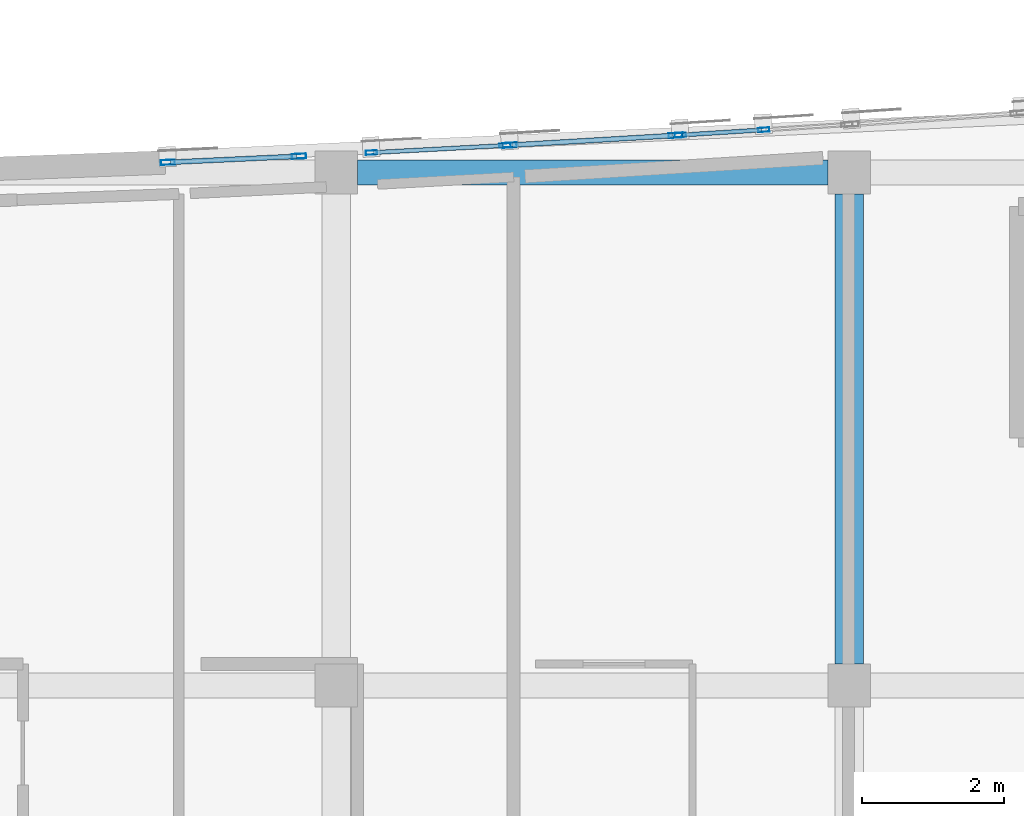
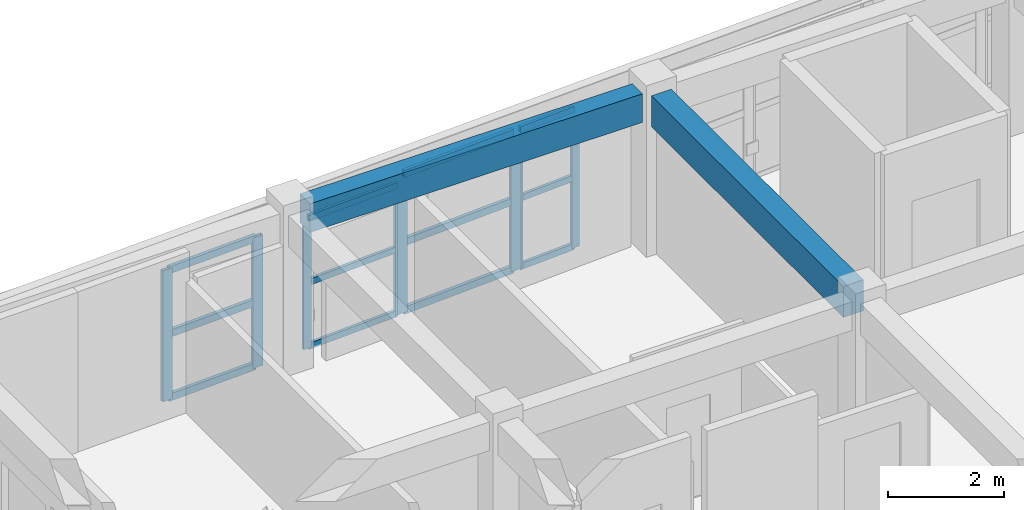
# One storey, part 6 of 45: 20 members, 2 beams, 4 elements without a shape of their own.
"""IFC4 building model written with IfcOpenShell, lengths in metres."""

from ifc_helpers import new_model, si_unit, direction, frame, origin, origin_2d, place, context, subcontext, project, spatial, rectangle, hollow_rectangle, extrude, material, layer, layer_set, material_profile, profile_set, type_object, element, aggregate, save


model = new_model("IFC4")

# Units and contexts
model_context = context("Model", 3, precision=1e-05, world=origin(), true_north=direction((0.0, 1.0)))
body_context = subcontext(model_context, "Body", "Model", "MODEL_VIEW")
ifc_project = project(units=[si_unit("LENGTHUNIT", "METRE"), si_unit("AREAUNIT", "SQUARE_METRE"), si_unit("VOLUMEUNIT", "CUBIC_METRE"), si_unit("PLANEANGLEUNIT", "RADIAN"), si_unit("MASSUNIT", "GRAM", prefix="KILO")], contexts=[model_context])

# Site, building, storey
site_placement = place(None, origin())
site = spatial("IfcSite", under=ifc_project, at=site_placement, CompositionType="ELEMENT")
building_placement = place(site_placement, origin())
building = spatial("IfcBuilding", under=site, at=building_placement, Name="Carrowvane Square Congress Hotel", CompositionType="ELEMENT")
storey_placement = place(building_placement, frame((0.0, 0.0, 33.60009765625)))
storey = spatial("IfcBuildingStorey", under=building, at=storey_placement, Name="L08", CompositionType="ELEMENT", Elevation=33.60009765625)

# Beams
ifc_material_1 = material(Name="Concrete C35/45", Category="concrete")
ifc_material_profile_1 = material_profile(ifc_material_1, rectangle(XDim=0.35009765625, YDim=0.60009765625, at=origin_2d()), Name="RC 350x600")
ifc_profile_set_1 = profile_set([ifc_material_profile_1], Name="Concrete C35/45")
beam_type_1 = type_object("IfcBeamType", Name="BM-RC-350x600", PredefinedType="BEAM", material=ifc_profile_set_1)
beam_1_placement = place(storey_placement, frame((40.699951171875, 113.39990234375, 3.059814453125), z_axis=(1.0, 0.0, 0.0), x_axis=(0.0, 1.0, 0.0)))
element("IfcBeam", 1, at=beam_1_placement, inside=storey, type_object=beam_type_1, Name="L09 girder R/5-6", PredefinedType="BEAM", context=body_context, shape_type="SweptSolid", body=[
    extrude(rectangle(XDim=0.35009765625, YDim=0.60009765625, at=origin_2d()), origin(), (0.0, 0.0, 1.0), 6.60009765625),
])
ifc_material_2 = material(Name="Concrete C35/45", Category="concrete")
ifc_material_profile_2 = material_profile(ifc_material_2, rectangle(XDim=0.39990234375, YDim=0.64990234375, at=origin_2d()), Name="RC 400x650")
ifc_profile_set_2 = profile_set([ifc_material_profile_2], Name="Concrete C35/45")
beam_type_2 = type_object("IfcBeamType", Name="BM-RC-400x650", PredefinedType="BEAM", material=ifc_profile_set_2)
beam_2_placement = place(storey_placement, frame((47.60009765625, 106.5, 3.034912109375), z_axis=(0.0, 1.0, 0.0), x_axis=(-1.0, 0.0, 0.0)))
element("IfcBeam", 2, at=beam_2_placement, inside=storey, type_object=beam_type_2, Name="L09 girder 6/Q-R", PredefinedType="BEAM", context=body_context, shape_type="SweptSolid", body=[
    extrude(rectangle(XDim=0.39990234375, YDim=0.64990234375, at=origin_2d()), origin(), (0.0, 0.0, 1.0), 6.60009765625),
])

# Curtain wall, members
ifc_material_3 = material(Name="Anodised aluminium", Category="aluminium")
ifc_layer_1 = layer(ifc_material_3, 0.18603515625)
ifc_layer_set_1 = layer_set([ifc_layer_1], Name="Anodised aluminium")
curtain_wall_type_1 = type_object("IfcCurtainWallType", Name="CW-SYS-3", PredefinedType="NOTDEFINED", material=ifc_layer_set_1)
curtain_wall_1_placement = place(storey_placement, origin())
curtain_wall_1 = element("IfcCurtainWall", 3, at=curtain_wall_1_placement, inside=storey, type_object=curtain_wall_type_1, Name="L08 unitised curtain wall 458", PredefinedType="NOTDEFINED")
ifc_material_4 = material(Name="Anodised aluminium", Category="aluminium")
ifc_material_profile_3 = material_profile(ifc_material_4, hollow_rectangle(XDim=0.06005859375, YDim=0.159912109375, WallThickness=0.00390625, at=origin_2d()), Name="CW-ML 60x160x4")
ifc_profile_set_3 = profile_set([ifc_material_profile_3], Name="Anodised aluminium")
member_type_1 = type_object("IfcMemberType", Name="CW-MUL-1", PredefinedType="MULLION", material=ifc_profile_set_3)
member_1_placement = place(storey_placement, frame((40.893310546875, 113.67919921875, 0.0), z_axis=(0.0, 0.0, 1.0), x_axis=(-0.053513817306, 0.998567109091, 0.0)))
member_1 = element("IfcMember", 4, at=member_1_placement, type_object=member_type_1, Name="CW-3 mullion 1", PredefinedType="MULLION", context=body_context, shape_type="SweptSolid", body=[
    extrude(hollow_rectangle(XDim=0.06005859375, YDim=0.159912109375, WallThickness=0.00390625, at=origin_2d()), origin(), (0.0, 0.0, 1.0), 2.744873046875),
])
member_2_placement = place(storey_placement, frame((42.77001953125, 113.77978515625, 0.0), z_axis=(0.0, 0.0, 1.0), x_axis=(-0.053513817306, 0.998567109091, 0.0)))
member_2 = element("IfcMember", 5, at=member_2_placement, type_object=member_type_1, Name="CW-3 mullion 2", PredefinedType="MULLION", context=body_context, shape_type="SweptSolid", body=[
    extrude(hollow_rectangle(XDim=0.06005859375, YDim=0.159912109375, WallThickness=0.00390625, at=origin_2d()), origin(), (0.0, 0.0, 1.0), 2.744873046875),
])

ifc_material_5 = material(Name="Anodised aluminium", Category="aluminium")
ifc_layer_2 = layer(ifc_material_5, 0.2099609375)
ifc_layer_set_2 = layer_set([ifc_layer_2], Name="Anodised aluminium")
curtain_wall_type_2 = type_object("IfcCurtainWallType", Name="CW-SYS-5", PredefinedType="NOTDEFINED", material=ifc_layer_set_2)
curtain_wall_2_placement = place(storey_placement, origin())
curtain_wall_2 = element("IfcCurtainWall", 6, at=curtain_wall_2_placement, inside=storey, type_object=curtain_wall_type_2, Name="L08 unitised curtain wall 460", PredefinedType="NOTDEFINED")
member_3_placement = place(storey_placement, frame((45.22998046875, 113.925048828125, 0.0), z_axis=(0.0, 0.0, 1.0), x_axis=(-0.063273487972, 0.997996225303, 0.0)))
member_3 = element("IfcMember", 7, at=member_3_placement, type_object=member_type_1, Name="CW-5 mullion 1", PredefinedType="MULLION", context=body_context, shape_type="SweptSolid", body=[
    extrude(hollow_rectangle(XDim=0.06005859375, YDim=0.159912109375, WallThickness=0.00390625, at=origin_2d()), origin(), (0.0, 0.0, 1.0), 2.935546875),
])
member_4_placement = place(storey_placement, frame((46.39990234375, 113.999267578125, 0.0), z_axis=(0.0, 0.0, 1.0), x_axis=(-0.063273487972, 0.997996225303, 0.0)))
member_4 = element("IfcMember", 8, at=member_4_placement, type_object=member_type_1, Name="CW-5 mullion 2", PredefinedType="MULLION", context=body_context, shape_type="SweptSolid", body=[
    extrude(hollow_rectangle(XDim=0.06005859375, YDim=0.159912109375, WallThickness=0.00390625, at=origin_2d()), origin(), (0.0, 0.0, 1.0), 2.935546875),
])

ifc_material_6 = material(Name="Anodised aluminium", Category="aluminium")
ifc_layer_3 = layer(ifc_material_6, 0.174072265625)
ifc_layer_set_3 = layer_set([ifc_layer_3], Name="Anodised aluminium")
curtain_wall_type_3 = type_object("IfcCurtainWallType", Name="CW-SYS-2", PredefinedType="NOTDEFINED", material=ifc_layer_set_3)
curtain_wall_3_placement = place(storey_placement, origin())
curtain_wall_3 = element("IfcCurtainWall", 9, at=curtain_wall_3_placement, inside=storey, type_object=curtain_wall_type_3, Name="L08 unitised curtain wall 457", PredefinedType="NOTDEFINED")
ifc_material_7 = material(Name="Anodised aluminium", Category="aluminium")
ifc_material_profile_4 = material_profile(ifc_material_7, hollow_rectangle(XDim=0.070068359375, YDim=0.199951171875, WallThickness=0.0048828125, at=origin_2d()), Name="CW-ML 70x200x5")
ifc_profile_set_4 = profile_set([ifc_material_profile_4], Name="Anodised aluminium")
member_type_2 = type_object("IfcMemberType", Name="CW-MUL-2", PredefinedType="MULLION", material=ifc_profile_set_4)
member_5_placement = place(storey_placement, frame((38.034912109375, 113.54248046875, 0.0), z_axis=(0.0, 0.0, 1.0), x_axis=(-0.046522035775, 0.998917263935, 0.0)))
member_5 = element("IfcMember", 10, at=member_5_placement, type_object=member_type_2, Name="CW-2 mullion 1", PredefinedType="MULLION", context=body_context, shape_type="SweptSolid", body=[
    extrude(hollow_rectangle(XDim=0.070068359375, YDim=0.199951171875, WallThickness=0.0048828125, at=origin_2d()), origin(), (0.0, 0.0, 1.0), 2.744873046875),
])
member_6_placement = place(storey_placement, frame((39.87646484375, 113.62841796875, 0.0), z_axis=(0.0, 0.0, 1.0), x_axis=(-0.046522035775, 0.998917263935, 0.0)))
member_6 = element("IfcMember", 11, at=member_6_placement, type_object=member_type_2, Name="CW-2 mullion 2", PredefinedType="MULLION", context=body_context, shape_type="SweptSolid", body=[
    extrude(hollow_rectangle(XDim=0.070068359375, YDim=0.199951171875, WallThickness=0.0048828125, at=origin_2d()), origin(), (0.0, 0.0, 1.0), 2.744873046875),
])

ifc_material_8 = material(Name="Anodised aluminium", Category="aluminium")
ifc_layer_4 = layer(ifc_material_8, 0.197998046875)
ifc_layer_set_4 = layer_set([ifc_layer_4], Name="Anodised aluminium")
curtain_wall_type_4 = type_object("IfcCurtainWallType", Name="CW-SYS-4", PredefinedType="NOTDEFINED", material=ifc_layer_set_4)
curtain_wall_4_placement = place(storey_placement, origin())
curtain_wall_4 = element("IfcCurtainWall", 12, at=curtain_wall_4_placement, inside=storey, type_object=curtain_wall_type_4, Name="L08 unitised curtain wall 459", PredefinedType="NOTDEFINED")
member_7_placement = place(storey_placement, frame((42.8349609375, 113.783447265625, 0.0), z_axis=(0.0, 0.0, 1.0), x_axis=(-0.058988522254, 0.99825866099, 0.0)))
member_7 = element("IfcMember", 13, at=member_7_placement, type_object=member_type_2, Name="CW-4 mullion 1", PredefinedType="MULLION", context=body_context, shape_type="SweptSolid", body=[
    extrude(hollow_rectangle(XDim=0.070068359375, YDim=0.199951171875, WallThickness=0.0048828125, at=origin_2d()), origin(), (0.0, 0.0, 1.0), 2.935546875),
])
member_8_placement = place(storey_placement, frame((45.1650390625, 113.921142578125, 0.0), z_axis=(0.0, 0.0, 1.0), x_axis=(-0.058988522254, 0.99825866099, 0.0)))
member_8 = element("IfcMember", 14, at=member_8_placement, type_object=member_type_2, Name="CW-4 mullion 2", PredefinedType="MULLION", context=body_context, shape_type="SweptSolid", body=[
    extrude(hollow_rectangle(XDim=0.070068359375, YDim=0.199951171875, WallThickness=0.0048828125, at=origin_2d()), origin(), (0.0, 0.0, 1.0), 2.935546875),
])

# Member
ifc_material_9 = material(Name="Anodised aluminium", Category="aluminium")
ifc_material_profile_5 = material_profile(ifc_material_9, hollow_rectangle(XDim=0.06005859375, YDim=0.1298828125, WallThickness=0.00390625, at=origin_2d()), Name="CW-TR 60x130x4")
ifc_profile_set_5 = profile_set([ifc_material_profile_5], Name="Anodised aluminium")
member_type_3 = type_object("IfcMemberType", Name="CW-TRN-1", PredefinedType="USERDEFINED", material=ifc_profile_set_5)
member_9_placement = place(storey_placement, frame((40.923095703125, 113.6806640625, 0.02978515625), z_axis=(0.998565827462, 0.053537727111, 0.0), x_axis=(-0.053537727111, 0.998565827462, 0.0)))
member_9 = element("IfcMember", 15, at=member_9_placement, type_object=member_type_3, Name="CW-3 transom 1.1", ObjectType="TRANSOM", PredefinedType="USERDEFINED", context=body_context, shape_type="SweptSolid", body=[
    extrude(hollow_rectangle(XDim=0.06005859375, YDim=0.1298828125, WallThickness=0.00390625, at=origin_2d()), origin(), (0.0, 0.0, 1.0), 1.819580078125),
])

member_10_placement = place(storey_placement, frame((40.923095703125, 113.6806640625, 1.372314453125), z_axis=(0.998565827462, 0.053537727111, 0.0), x_axis=(-0.053537727111, 0.998565827462, 0.0)))
member_10 = element("IfcMember", 16, at=member_10_placement, type_object=member_type_3, Name="CW-3 transom 1.2", ObjectType="TRANSOM", PredefinedType="USERDEFINED", context=body_context, shape_type="SweptSolid", body=[
    extrude(hollow_rectangle(XDim=0.06005859375, YDim=0.1298828125, WallThickness=0.00390625, at=origin_2d()), origin(), (0.0, 0.0, 1.0), 1.819580078125),
])

member_11_placement = place(storey_placement, frame((40.923095703125, 113.6806640625, 2.71484375), z_axis=(0.998565827462, 0.053537727111, 0.0), x_axis=(-0.053537727111, 0.998565827462, 0.0)))
member_11 = element("IfcMember", 17, at=member_11_placement, type_object=member_type_3, Name="CW-3 transom 1.3", ObjectType="TRANSOM", PredefinedType="USERDEFINED", context=body_context, shape_type="SweptSolid", body=[
    extrude(hollow_rectangle(XDim=0.06005859375, YDim=0.1298828125, WallThickness=0.00390625, at=origin_2d()), origin(), (0.0, 0.0, 1.0), 1.819580078125),
])

aggregate(curtain_wall_1, [member_1, member_2, member_9, member_10, member_11])

member_12_placement = place(storey_placement, frame((45.259765625, 113.927001953125, 0.02978515625), z_axis=(0.998001011376, 0.063197953227, 0.0), x_axis=(-0.063197953227, 0.998001011376, 0.0)))
member_12 = element("IfcMember", 18, at=member_12_placement, type_object=member_type_3, Name="CW-5 transom 1.1", ObjectType="TRANSOM", PredefinedType="USERDEFINED", context=body_context, shape_type="SweptSolid", body=[
    extrude(hollow_rectangle(XDim=0.06005859375, YDim=0.1298828125, WallThickness=0.00390625, at=origin_2d()), origin(), (0.0, 0.0, 1.0), 1.112548828125),
])

member_13_placement = place(storey_placement, frame((45.259765625, 113.927001953125, 1.4677734375), z_axis=(0.998001011376, 0.063197953227, 0.0), x_axis=(-0.063197953227, 0.998001011376, 0.0)))
member_13 = element("IfcMember", 19, at=member_13_placement, type_object=member_type_3, Name="CW-5 transom 1.2", ObjectType="TRANSOM", PredefinedType="USERDEFINED", context=body_context, shape_type="SweptSolid", body=[
    extrude(hollow_rectangle(XDim=0.06005859375, YDim=0.1298828125, WallThickness=0.00390625, at=origin_2d()), origin(), (0.0, 0.0, 1.0), 1.112548828125),
])

member_14_placement = place(storey_placement, frame((45.259765625, 113.927001953125, 2.905517578125), z_axis=(0.998001011376, 0.063197953227, 0.0), x_axis=(-0.063197953227, 0.998001011376, 0.0)))
member_14 = element("IfcMember", 20, at=member_14_placement, type_object=member_type_3, Name="CW-5 transom 1.3", ObjectType="TRANSOM", PredefinedType="USERDEFINED", context=body_context, shape_type="SweptSolid", body=[
    extrude(hollow_rectangle(XDim=0.06005859375, YDim=0.1298828125, WallThickness=0.00390625, at=origin_2d()), origin(), (0.0, 0.0, 1.0), 1.112548828125),
])

aggregate(curtain_wall_2, [member_3, member_4, member_12, member_13, member_14])

ifc_material_10 = material(Name="Anodised aluminium", Category="aluminium")
ifc_material_profile_6 = material_profile(ifc_material_10, hollow_rectangle(XDim=0.070068359375, YDim=0.14990234375, WallThickness=0.0048828125, at=origin_2d()), Name="CW-TR 70x150x5")
ifc_profile_set_6 = profile_set([ifc_material_profile_6], Name="Anodised aluminium")
member_type_4 = type_object("IfcMemberType", Name="CW-TRN-2", PredefinedType="USERDEFINED", material=ifc_profile_set_6)
member_15_placement = place(storey_placement, frame((38.06982421875, 113.544189453125, 0.034912109375), z_axis=(0.998917112664, 0.046525283737, 0.0), x_axis=(-0.046525283737, 0.998917112664, 0.0)))
member_15 = element("IfcMember", 21, at=member_15_placement, type_object=member_type_4, Name="CW-2 transom 1.1", ObjectType="TRANSOM", PredefinedType="USERDEFINED", context=body_context, shape_type="SweptSolid", body=[
    extrude(hollow_rectangle(XDim=0.070068359375, YDim=0.14990234375, WallThickness=0.0048828125, at=origin_2d()), origin(), (0.0, 0.0, 1.0), 1.773681640625),
])

member_16_placement = place(storey_placement, frame((38.06982421875, 113.544189453125, 1.372314453125), z_axis=(0.998917112664, 0.046525283737, 0.0), x_axis=(-0.046525283737, 0.998917112664, 0.0)))
member_16 = element("IfcMember", 22, at=member_16_placement, type_object=member_type_4, Name="CW-2 transom 1.2", ObjectType="TRANSOM", PredefinedType="USERDEFINED", context=body_context, shape_type="SweptSolid", body=[
    extrude(hollow_rectangle(XDim=0.070068359375, YDim=0.14990234375, WallThickness=0.0048828125, at=origin_2d()), origin(), (0.0, 0.0, 1.0), 1.773681640625),
])

member_17_placement = place(storey_placement, frame((38.06982421875, 113.544189453125, 2.7099609375), z_axis=(0.998917112664, 0.046525283737, 0.0), x_axis=(-0.046525283737, 0.998917112664, 0.0)))
member_17 = element("IfcMember", 23, at=member_17_placement, type_object=member_type_4, Name="CW-2 transom 1.3", ObjectType="TRANSOM", PredefinedType="USERDEFINED", context=body_context, shape_type="SweptSolid", body=[
    extrude(hollow_rectangle(XDim=0.070068359375, YDim=0.14990234375, WallThickness=0.0048828125, at=origin_2d()), origin(), (0.0, 0.0, 1.0), 1.773681640625),
])

aggregate(curtain_wall_3, [member_5, member_6, member_15, member_16, member_17])

member_18_placement = place(storey_placement, frame((42.869873046875, 113.785400390625, 0.034912109375), z_axis=(0.998259095079, 0.058981175741, 0.0), x_axis=(-0.058981175741, 0.998259095079, 0.0)))
member_18 = element("IfcMember", 24, at=member_18_placement, type_object=member_type_4, Name="CW-4 transom 1.1", ObjectType="TRANSOM", PredefinedType="USERDEFINED", context=body_context, shape_type="SweptSolid", body=[
    extrude(hollow_rectangle(XDim=0.070068359375, YDim=0.14990234375, WallThickness=0.0048828125, at=origin_2d()), origin(), (0.0, 0.0, 1.0), 2.26416015625),
])

member_19_placement = place(storey_placement, frame((42.869873046875, 113.785400390625, 1.4677734375), z_axis=(0.998259095079, 0.058981175741, 0.0), x_axis=(-0.058981175741, 0.998259095079, 0.0)))
member_19 = element("IfcMember", 25, at=member_19_placement, type_object=member_type_4, Name="CW-4 transom 1.2", ObjectType="TRANSOM", PredefinedType="USERDEFINED", context=body_context, shape_type="SweptSolid", body=[
    extrude(hollow_rectangle(XDim=0.070068359375, YDim=0.14990234375, WallThickness=0.0048828125, at=origin_2d()), origin(), (0.0, 0.0, 1.0), 2.26416015625),
])

member_20_placement = place(storey_placement, frame((42.869873046875, 113.785400390625, 2.900390625), z_axis=(0.998259095079, 0.058981175741, 0.0), x_axis=(-0.058981175741, 0.998259095079, 0.0)))
member_20 = element("IfcMember", 26, at=member_20_placement, type_object=member_type_4, Name="CW-4 transom 1.3", ObjectType="TRANSOM", PredefinedType="USERDEFINED", context=body_context, shape_type="SweptSolid", body=[
    extrude(hollow_rectangle(XDim=0.070068359375, YDim=0.14990234375, WallThickness=0.0048828125, at=origin_2d()), origin(), (0.0, 0.0, 1.0), 2.26416015625),
])

aggregate(curtain_wall_4, [member_7, member_8, member_18, member_19, member_20])

save(model, "model.ifc")
